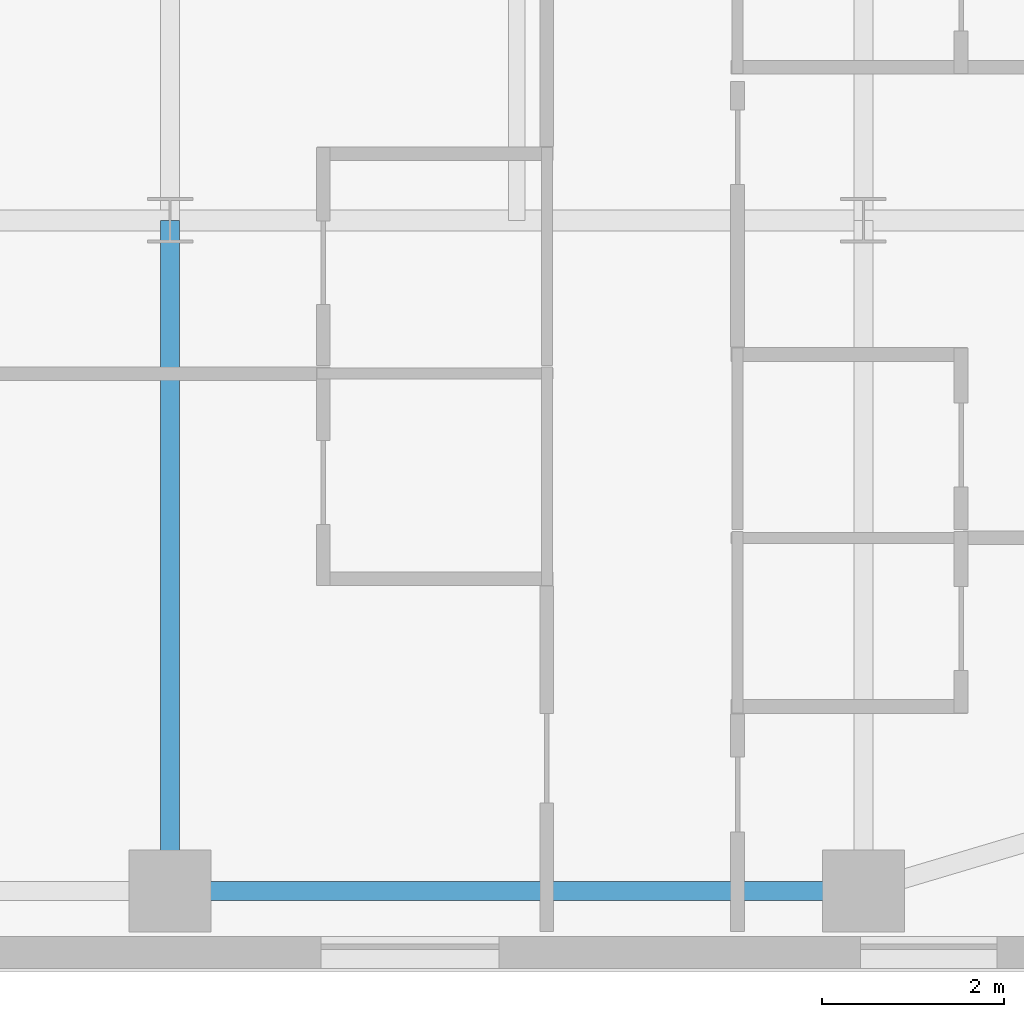
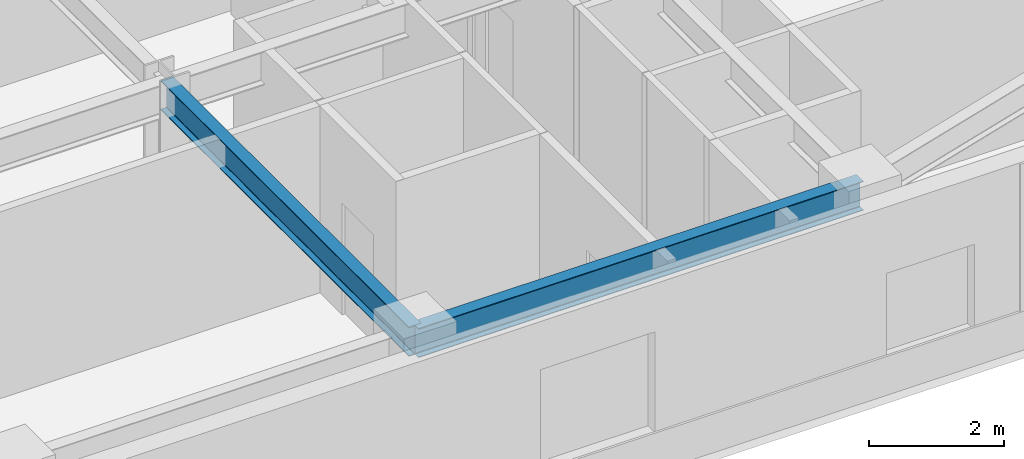
# One storey, part 8 of 25: 2 beams.
"""IFC4 building model written with IfcOpenShell, lengths in metres."""

from ifc_helpers import new_model, si_unit, direction, frame, origin, origin_2d, place, context, subcontext, project, spatial, i_section, extrude, source, transform, mapped, material, material_profile, profile_set, type_object, type_shapes, element, save


model = new_model("IFC4")

# Units and contexts
model_context = context("Model", 3, precision=1e-05, world=origin(), true_north=direction((0.0, 1.0)))
body_context = subcontext(model_context, "Body", "Model", "MODEL_VIEW")
ifc_project = project(units=[si_unit("LENGTHUNIT", "METRE"), si_unit("AREAUNIT", "SQUARE_METRE"), si_unit("VOLUMEUNIT", "CUBIC_METRE"), si_unit("PLANEANGLEUNIT", "RADIAN"), si_unit("MASSUNIT", "GRAM", prefix="KILO")], contexts=[model_context])

# Site, building, storey
site_placement = place(None, origin())
site = spatial("IfcSite", under=ifc_project, at=site_placement, CompositionType="ELEMENT")
building_placement = place(site_placement, origin())
building = spatial("IfcBuilding", under=site, at=building_placement, Name="Tolvann Quenvar Hotel", CompositionType="ELEMENT")
storey_placement = place(building_placement, frame((0.0, 0.0, 132.85009765625)))
storey = spatial("IfcBuildingStorey", under=building, at=storey_placement, Name="L34", CompositionType="ELEMENT", Elevation=132.85009765625)

# Beams
ifc_material = material(Name="Steel Grade 350", Category="steel")
ifc_material_profile_1 = material_profile(ifc_material, i_section(OverallWidth=0.208984375, OverallDepth=0.528076171875, WebThickness=0.009521484375, FlangeThickness=0.01318359375, FilletRadius=0.013916015625, at=origin_2d()), Name="530UB82")
ifc_profile_set_1 = profile_set([ifc_material_profile_1], Name="Steel Grade 350")
beam_type_1 = type_object("IfcBeamType", Name="BM_SPAND_530UB82", PredefinedType="SPANDREL", material=ifc_profile_set_1)
shared_shape_1 = source(origin(), body_context, "Body", "SweptSolid", [
    extrude(i_section(OverallWidth=0.208984375, OverallDepth=0.528076171875, WebThickness=0.009521484375, FlangeThickness=0.01318359375, FilletRadius=0.013916015625, at=origin_2d()), origin(), (0.0, 0.0, 1.0), 7.599853515625),
])
type_shapes(beam_type_1, [shared_shape_1])
beam_1_placement = place(storey_placement, frame((41.800048828125, 0.85009765625, 3.10595703125), z_axis=(1.0, 0.0, 0.0), x_axis=(0.0, 1.0, 0.0)))
element("IfcBeam", 1, at=beam_1_placement, inside=storey, type_object=beam_type_1, Name="BM-L34-EW-2-H2-I2", PredefinedType="SPANDREL", context=body_context, shape_type="MappedRepresentation", body=[
    mapped(shared_shape_1, transform((0.0, 0.0, 0.0), x_axis=(1.0, 0.0, 0.0), y_axis=(0.0, 1.0, 0.0), z_axis=(0.0, 0.0, 1.0), scale=1.0)),
])
ifc_material_profile_2 = material_profile(ifc_material, i_section(OverallWidth=0.208984375, OverallDepth=0.532958984375, WebThickness=0.01025390625, FlangeThickness=0.015625, FilletRadius=0.013916015625, at=origin_2d()), Name="530UB92")
ifc_profile_set_2 = profile_set([ifc_material_profile_2], Name="Steel Grade 350")
beam_type_2 = type_object("IfcBeamType", Name="BM_GIRD_530UB92", PredefinedType="BEAM", material=ifc_profile_set_2)
shared_shape_2 = source(origin(), body_context, "Body", "SweptSolid", [
    extrude(i_section(OverallWidth=0.208984375, OverallDepth=0.532958984375, WebThickness=0.01025390625, FlangeThickness=0.015625, FilletRadius=0.013916015625, at=origin_2d()), origin(), (0.0, 0.0, 1.0), 7.349853515625),
])
type_shapes(beam_type_2, [shared_shape_2])
beam_2_placement = place(storey_placement, frame((41.800048828125, 0.85009765625, 3.103515625), z_axis=(0.0, 1.0, 0.0), x_axis=(-1.0, 0.0, 0.0)))
element("IfcBeam", 2, at=beam_2_placement, inside=storey, type_object=beam_type_2, Name="BM-L34-NS-H2-H3", PredefinedType="BEAM", context=body_context, shape_type="MappedRepresentation", body=[
    mapped(shared_shape_2, transform((0.0, 0.0, 0.0), x_axis=(1.0, 0.0, 0.0), y_axis=(0.0, 1.0, 0.0), z_axis=(0.0, 0.0, 1.0), scale=1.0)),
])

save(model, "model.ifc")
